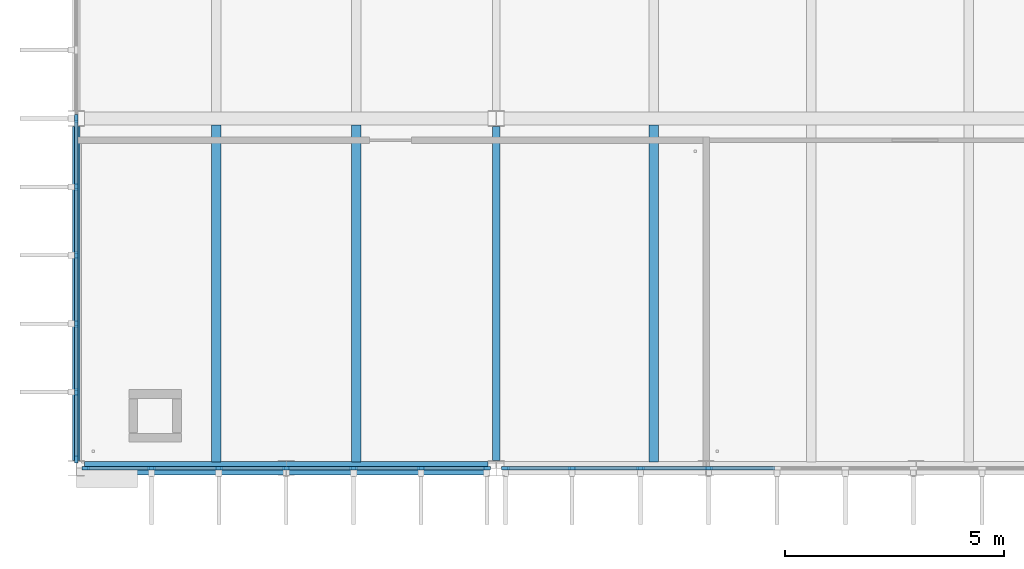
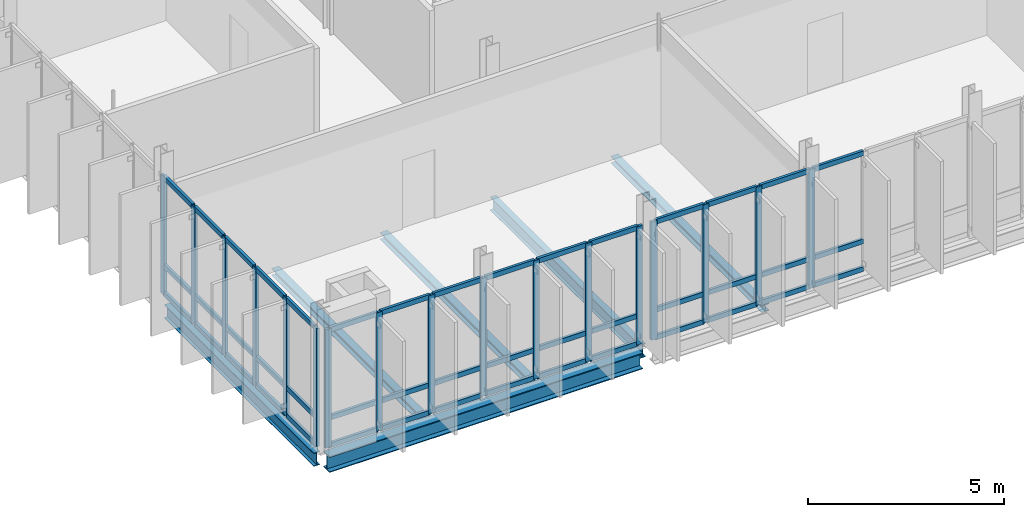
# One storey, part 18 of 110: 62 members, 6 beams, 3 elements without a shape of their own.
"""IFC4 building model written with IfcOpenShell, lengths in metres."""

from ifc_helpers import new_model, si_unit, direction, frame, origin, origin_2d, place, context, subcontext, project, spatial, rectangle, i_section, extrude, material, material_profile, profile_set, type_object, element, aggregate, save


model = new_model("IFC4")

# Units and contexts
model_context = context("Model", 3, precision=1e-05, world=origin(), true_north=direction((0.0, 1.0)))
body_context = subcontext(model_context, "Body", "Model", "MODEL_VIEW")
ifc_project = project(units=[si_unit("LENGTHUNIT", "METRE"), si_unit("AREAUNIT", "SQUARE_METRE"), si_unit("VOLUMEUNIT", "CUBIC_METRE"), si_unit("PLANEANGLEUNIT", "RADIAN"), si_unit("MASSUNIT", "GRAM", prefix="KILO")], contexts=[model_context])

# Site, building, storey
site_placement = place(None, origin())
site = spatial("IfcSite", under=ifc_project, at=site_placement, CompositionType="ELEMENT")
building_placement = place(site_placement, origin())
building = spatial("IfcBuilding", under=site, at=building_placement, Name="Dunescarp Central Library", CompositionType="ELEMENT")
storey_placement = place(building_placement, frame((0.0, 0.0, 9.60009765625)))
storey = spatial("IfcBuildingStorey", under=building, at=storey_placement, Name="L02", CompositionType="ELEMENT", Elevation=9.60009765625)

# Curtain wall, members
ifc_material_1 = material(Name="Marine-grade anodised aluminium 6063-T6", Category="aluminium")
curtain_wall_type = type_object("IfcCurtainWallType", Name="ARC-CW-STICK", PredefinedType="NOTDEFINED", material=ifc_material_1)
curtain_wall_1_placement = place(storey_placement, origin())
curtain_wall_1 = element("IfcCurtainWall", 1, at=curtain_wall_1_placement, inside=storey, type_object=curtain_wall_type, Name="L02 curtain wall CW-V1-012", PredefinedType="NOTDEFINED")
ifc_material_profile_1 = material_profile(ifc_material_1, rectangle(XDim=0.080078125, YDim=0.179931640625, at=origin_2d()), Name="AL 80x180")
ifc_profile_set_1 = profile_set([ifc_material_profile_1], Name="Marine-grade anodised aluminium 6063-T6")
member_type_1 = type_object("IfcMemberType", Name="ARC-CWM-180", PredefinedType="MULLION", material=ifc_profile_set_1)
member_1_placement = place(storey_placement, frame((9.385009765625, 4.800048828125, 0.0), z_axis=(0.0, 0.0, 1.0), x_axis=(0.0, -1.0, 0.0)))
member_1 = element("IfcMember", 2, at=member_1_placement, type_object=member_type_1, Name="CW-V1-012 mullion 1", PredefinedType="MULLION", context=body_context, shape_type="SweptSolid", body=[
    extrude(rectangle(XDim=0.080078125, YDim=0.179931640625, at=origin_2d()), origin(), (0.0, 0.0, 1.0), 3.684814453125),
])
member_2_placement = place(storey_placement, frame((7.88330078125, 4.800048828125, 0.0), z_axis=(0.0, 0.0, 1.0), x_axis=(0.0, -1.0, 0.0)))
member_2 = element("IfcMember", 3, at=member_2_placement, type_object=member_type_1, Name="CW-V1-012 mullion 2", PredefinedType="MULLION", context=body_context, shape_type="SweptSolid", body=[
    extrude(rectangle(XDim=0.080078125, YDim=0.179931640625, at=origin_2d()), origin(), (0.0, 0.0, 1.0), 3.684814453125),
])
member_3_placement = place(storey_placement, frame((6.341552734375, 4.800048828125, 0.0), z_axis=(0.0, 0.0, 1.0), x_axis=(0.0, -1.0, 0.0)))
member_3 = element("IfcMember", 4, at=member_3_placement, type_object=member_type_1, Name="CW-V1-012 mullion 3", PredefinedType="MULLION", context=body_context, shape_type="SweptSolid", body=[
    extrude(rectangle(XDim=0.080078125, YDim=0.179931640625, at=origin_2d()), origin(), (0.0, 0.0, 1.0), 3.684814453125),
])
member_4_placement = place(storey_placement, frame((4.800048828125, 4.800048828125, 0.0), z_axis=(0.0, 0.0, 1.0), x_axis=(0.0, -1.0, 0.0)))
member_4 = element("IfcMember", 5, at=member_4_placement, type_object=member_type_1, Name="CW-V1-012 mullion 4", PredefinedType="MULLION", context=body_context, shape_type="SweptSolid", body=[
    extrude(rectangle(XDim=0.080078125, YDim=0.179931640625, at=origin_2d()), origin(), (0.0, 0.0, 1.0), 3.684814453125),
])
member_5_placement = place(storey_placement, frame((3.25830078125, 4.800048828125, 0.0), z_axis=(0.0, 0.0, 1.0), x_axis=(0.0, -1.0, 0.0)))
member_5 = element("IfcMember", 6, at=member_5_placement, type_object=member_type_1, Name="CW-V1-012 mullion 5", PredefinedType="MULLION", context=body_context, shape_type="SweptSolid", body=[
    extrude(rectangle(XDim=0.080078125, YDim=0.179931640625, at=origin_2d()), origin(), (0.0, 0.0, 1.0), 3.684814453125),
])
member_6_placement = place(storey_placement, frame((1.716552734375, 4.800048828125, 0.0), z_axis=(0.0, 0.0, 1.0), x_axis=(0.0, -1.0, 0.0)))
member_6 = element("IfcMember", 7, at=member_6_placement, type_object=member_type_1, Name="CW-V1-012 mullion 6", PredefinedType="MULLION", context=body_context, shape_type="SweptSolid", body=[
    extrude(rectangle(XDim=0.080078125, YDim=0.179931640625, at=origin_2d()), origin(), (0.0, 0.0, 1.0), 3.684814453125),
])
member_7_placement = place(storey_placement, frame((0.215087890625, 4.800048828125, 0.0), z_axis=(0.0, 0.0, 1.0), x_axis=(0.0, -1.0, 0.0)))
member_7 = element("IfcMember", 8, at=member_7_placement, type_object=member_type_1, Name="CW-V1-012 mullion 7", PredefinedType="MULLION", context=body_context, shape_type="SweptSolid", body=[
    extrude(rectangle(XDim=0.080078125, YDim=0.179931640625, at=origin_2d()), origin(), (0.0, 0.0, 1.0), 3.684814453125),
])

curtain_wall_2_placement = place(storey_placement, origin())
curtain_wall_2 = element("IfcCurtainWall", 9, at=curtain_wall_2_placement, inside=storey, type_object=curtain_wall_type, Name="L02 curtain wall CW-V1-013", PredefinedType="NOTDEFINED")
member_8_placement = place(storey_placement, frame((14.458251953125, 4.800048828125, 0.0), z_axis=(0.0, 0.0, 1.0), x_axis=(0.0, -1.0, 0.0)))
member_8 = element("IfcMember", 10, at=member_8_placement, type_object=member_type_1, Name="CW-V1-013 mullion 7", PredefinedType="MULLION", context=body_context, shape_type="SweptSolid", body=[
    extrude(rectangle(XDim=0.080078125, YDim=0.179931640625, at=origin_2d()), origin(), (0.0, 0.0, 1.0), 3.684814453125),
])
member_9_placement = place(storey_placement, frame((12.897216796875, 4.800048828125, 0.0), z_axis=(0.0, 0.0, 1.0), x_axis=(0.0, -1.0, 0.0)))
member_9 = element("IfcMember", 11, at=member_9_placement, type_object=member_type_1, Name="CW-V1-013 mullion 8", PredefinedType="MULLION", context=body_context, shape_type="SweptSolid", body=[
    extrude(rectangle(XDim=0.080078125, YDim=0.179931640625, at=origin_2d()), origin(), (0.0, 0.0, 1.0), 3.684814453125),
])
member_10_placement = place(storey_placement, frame((11.336181640625, 4.800048828125, 0.0), z_axis=(0.0, 0.0, 1.0), x_axis=(0.0, -1.0, 0.0)))
member_10 = element("IfcMember", 12, at=member_10_placement, type_object=member_type_1, Name="CW-V1-013 mullion 9", PredefinedType="MULLION", context=body_context, shape_type="SweptSolid", body=[
    extrude(rectangle(XDim=0.080078125, YDim=0.179931640625, at=origin_2d()), origin(), (0.0, 0.0, 1.0), 3.684814453125),
])
member_11_placement = place(storey_placement, frame((9.81494140625, 4.800048828125, 0.0), z_axis=(0.0, 0.0, 1.0), x_axis=(0.0, -1.0, 0.0)))
member_11 = element("IfcMember", 13, at=member_11_placement, type_object=member_type_1, Name="CW-V1-013 mullion 10", PredefinedType="MULLION", context=body_context, shape_type="SweptSolid", body=[
    extrude(rectangle(XDim=0.080078125, YDim=0.179931640625, at=origin_2d()), origin(), (0.0, 0.0, 1.0), 3.684814453125),
])

curtain_wall_3_placement = place(storey_placement, origin())
curtain_wall_3 = element("IfcCurtainWall", 14, at=curtain_wall_3_placement, inside=storey, type_object=curtain_wall_type, Name="L02 curtain wall CW-V1-015", PredefinedType="NOTDEFINED")
member_12_placement = place(storey_placement, frame((0.0, 5.014892578125, 0.0), z_axis=(0.0, 0.0, 1.0), x_axis=(-1.0, 0.0, 0.0)))
member_12 = element("IfcMember", 15, at=member_12_placement, type_object=member_type_1, Name="CW-V1-015 mullion 1", PredefinedType="MULLION", context=body_context, shape_type="SweptSolid", body=[
    extrude(rectangle(XDim=0.080078125, YDim=0.179931640625, at=origin_2d()), origin(), (0.0, 0.0, 1.0), 3.684814453125),
])
member_13_placement = place(storey_placement, frame((0.0, 6.5400390625, 0.0), z_axis=(0.0, 0.0, 1.0), x_axis=(-1.0, 0.0, 0.0)))
member_13 = element("IfcMember", 16, at=member_13_placement, type_object=member_type_1, Name="CW-V1-015 mullion 2", PredefinedType="MULLION", context=body_context, shape_type="SweptSolid", body=[
    extrude(rectangle(XDim=0.080078125, YDim=0.179931640625, at=origin_2d()), origin(), (0.0, 0.0, 1.0), 3.684814453125),
])
member_14_placement = place(storey_placement, frame((0.0, 8.10498046875, 0.0), z_axis=(0.0, 0.0, 1.0), x_axis=(-1.0, 0.0, 0.0)))
member_14 = element("IfcMember", 17, at=member_14_placement, type_object=member_type_1, Name="CW-V1-015 mullion 3", PredefinedType="MULLION", context=body_context, shape_type="SweptSolid", body=[
    extrude(rectangle(XDim=0.080078125, YDim=0.179931640625, at=origin_2d()), origin(), (0.0, 0.0, 1.0), 3.684814453125),
])
member_15_placement = place(storey_placement, frame((0.0, 9.669921875, 0.0), z_axis=(0.0, 0.0, 1.0), x_axis=(-1.0, 0.0, 0.0)))
member_15 = element("IfcMember", 18, at=member_15_placement, type_object=member_type_1, Name="CW-V1-015 mullion 4", PredefinedType="MULLION", context=body_context, shape_type="SweptSolid", body=[
    extrude(rectangle(XDim=0.080078125, YDim=0.179931640625, at=origin_2d()), origin(), (0.0, 0.0, 1.0), 3.684814453125),
])
member_16_placement = place(storey_placement, frame((0.0, 11.235107421875, 0.0), z_axis=(0.0, 0.0, 1.0), x_axis=(-1.0, 0.0, 0.0)))
member_16 = element("IfcMember", 19, at=member_16_placement, type_object=member_type_1, Name="CW-V1-015 mullion 5", PredefinedType="MULLION", context=body_context, shape_type="SweptSolid", body=[
    extrude(rectangle(XDim=0.080078125, YDim=0.179931640625, at=origin_2d()), origin(), (0.0, 0.0, 1.0), 3.684814453125),
])
member_17_placement = place(storey_placement, frame((0.0, 12.800048828125, 0.0), z_axis=(0.0, 0.0, 1.0), x_axis=(-1.0, 0.0, 0.0)))
member_17 = element("IfcMember", 20, at=member_17_placement, type_object=member_type_1, Name="CW-V1-015 mullion 6", PredefinedType="MULLION", context=body_context, shape_type="SweptSolid", body=[
    extrude(rectangle(XDim=0.080078125, YDim=0.179931640625, at=origin_2d()), origin(), (0.0, 0.0, 1.0), 3.684814453125),
])

# Member
ifc_material_profile_2 = material_profile(ifc_material_1, rectangle(XDim=0.080078125, YDim=0.14990234375, at=origin_2d()), Name="AL 80x150")
ifc_profile_set_2 = profile_set([ifc_material_profile_2], Name="Marine-grade anodised aluminium 6063-T6")
member_type_2 = type_object("IfcMemberType", Name="ARC-CWT-150", PredefinedType="USERDEFINED", material=ifc_profile_set_2)
member_18_placement = place(storey_placement, frame((9.344970703125, 4.800048828125, 0.039794921875), z_axis=(-1.0, 0.0, 0.0), x_axis=(0.0, -1.0, 0.0)))
member_18 = element("IfcMember", 21, at=member_18_placement, type_object=member_type_2, Name="CW-V1-012 transom 1.1", ObjectType="TRANSOM", PredefinedType="USERDEFINED", context=body_context, shape_type="SweptSolid", body=[
    extrude(rectangle(XDim=0.080078125, YDim=0.14990234375, at=origin_2d()), origin(), (0.0, 0.0, 1.0), 1.421630859375),
])

member_19_placement = place(storey_placement, frame((9.344970703125, 4.800048828125, 0.89990234375), z_axis=(-1.0, 0.0, 0.0), x_axis=(0.0, -1.0, 0.0)))
member_19 = element("IfcMember", 22, at=member_19_placement, type_object=member_type_2, Name="CW-V1-012 transom 1.2", ObjectType="TRANSOM", PredefinedType="USERDEFINED", context=body_context, shape_type="SweptSolid", body=[
    extrude(rectangle(XDim=0.080078125, YDim=0.14990234375, at=origin_2d()), origin(), (0.0, 0.0, 1.0), 1.421630859375),
])

member_20_placement = place(storey_placement, frame((9.344970703125, 4.800048828125, 3.64501953125), z_axis=(-1.0, 0.0, 0.0), x_axis=(0.0, -1.0, 0.0)))
member_20 = element("IfcMember", 23, at=member_20_placement, type_object=member_type_2, Name="CW-V1-012 transom 1.3", ObjectType="TRANSOM", PredefinedType="USERDEFINED", context=body_context, shape_type="SweptSolid", body=[
    extrude(rectangle(XDim=0.080078125, YDim=0.14990234375, at=origin_2d()), origin(), (0.0, 0.0, 1.0), 1.421630859375),
])

member_21_placement = place(storey_placement, frame((7.84326171875, 4.800048828125, 0.039794921875), z_axis=(-1.0, 0.0, 0.0), x_axis=(0.0, -1.0, 0.0)))
member_21 = element("IfcMember", 24, at=member_21_placement, type_object=member_type_2, Name="CW-V1-012 transom 2.1", ObjectType="TRANSOM", PredefinedType="USERDEFINED", context=body_context, shape_type="SweptSolid", body=[
    extrude(rectangle(XDim=0.080078125, YDim=0.14990234375, at=origin_2d()), origin(), (0.0, 0.0, 1.0), 1.461669921875),
])

member_22_placement = place(storey_placement, frame((7.84326171875, 4.800048828125, 0.89990234375), z_axis=(-1.0, 0.0, 0.0), x_axis=(0.0, -1.0, 0.0)))
member_22 = element("IfcMember", 25, at=member_22_placement, type_object=member_type_2, Name="CW-V1-012 transom 2.2", ObjectType="TRANSOM", PredefinedType="USERDEFINED", context=body_context, shape_type="SweptSolid", body=[
    extrude(rectangle(XDim=0.080078125, YDim=0.14990234375, at=origin_2d()), origin(), (0.0, 0.0, 1.0), 1.461669921875),
])

member_23_placement = place(storey_placement, frame((7.84326171875, 4.800048828125, 3.64501953125), z_axis=(-1.0, 0.0, 0.0), x_axis=(0.0, -1.0, 0.0)))
member_23 = element("IfcMember", 26, at=member_23_placement, type_object=member_type_2, Name="CW-V1-012 transom 2.3", ObjectType="TRANSOM", PredefinedType="USERDEFINED", context=body_context, shape_type="SweptSolid", body=[
    extrude(rectangle(XDim=0.080078125, YDim=0.14990234375, at=origin_2d()), origin(), (0.0, 0.0, 1.0), 1.461669921875),
])

member_24_placement = place(storey_placement, frame((6.3017578125, 4.800048828125, 0.039794921875), z_axis=(-1.0, 0.0, 0.0), x_axis=(0.0, -1.0, 0.0)))
member_24 = element("IfcMember", 27, at=member_24_placement, type_object=member_type_2, Name="CW-V1-012 transom 3.1", ObjectType="TRANSOM", PredefinedType="USERDEFINED", context=body_context, shape_type="SweptSolid", body=[
    extrude(rectangle(XDim=0.080078125, YDim=0.14990234375, at=origin_2d()), origin(), (0.0, 0.0, 1.0), 1.461669921875),
])

member_25_placement = place(storey_placement, frame((6.3017578125, 4.800048828125, 0.89990234375), z_axis=(-1.0, 0.0, 0.0), x_axis=(0.0, -1.0, 0.0)))
member_25 = element("IfcMember", 28, at=member_25_placement, type_object=member_type_2, Name="CW-V1-012 transom 3.2", ObjectType="TRANSOM", PredefinedType="USERDEFINED", context=body_context, shape_type="SweptSolid", body=[
    extrude(rectangle(XDim=0.080078125, YDim=0.14990234375, at=origin_2d()), origin(), (0.0, 0.0, 1.0), 1.461669921875),
])

member_26_placement = place(storey_placement, frame((6.3017578125, 4.800048828125, 3.64501953125), z_axis=(-1.0, 0.0, 0.0), x_axis=(0.0, -1.0, 0.0)))
member_26 = element("IfcMember", 29, at=member_26_placement, type_object=member_type_2, Name="CW-V1-012 transom 3.3", ObjectType="TRANSOM", PredefinedType="USERDEFINED", context=body_context, shape_type="SweptSolid", body=[
    extrude(rectangle(XDim=0.080078125, YDim=0.14990234375, at=origin_2d()), origin(), (0.0, 0.0, 1.0), 1.461669921875),
])

member_27_placement = place(storey_placement, frame((4.760009765625, 4.800048828125, 0.039794921875), z_axis=(-1.0, 0.0, 0.0), x_axis=(0.0, -1.0, 0.0)))
member_27 = element("IfcMember", 30, at=member_27_placement, type_object=member_type_2, Name="CW-V1-012 transom 4.1", ObjectType="TRANSOM", PredefinedType="USERDEFINED", context=body_context, shape_type="SweptSolid", body=[
    extrude(rectangle(XDim=0.080078125, YDim=0.14990234375, at=origin_2d()), origin(), (0.0, 0.0, 1.0), 1.461669921875),
])

member_28_placement = place(storey_placement, frame((4.760009765625, 4.800048828125, 0.89990234375), z_axis=(-1.0, 0.0, 0.0), x_axis=(0.0, -1.0, 0.0)))
member_28 = element("IfcMember", 31, at=member_28_placement, type_object=member_type_2, Name="CW-V1-012 transom 4.2", ObjectType="TRANSOM", PredefinedType="USERDEFINED", context=body_context, shape_type="SweptSolid", body=[
    extrude(rectangle(XDim=0.080078125, YDim=0.14990234375, at=origin_2d()), origin(), (0.0, 0.0, 1.0), 1.461669921875),
])

member_29_placement = place(storey_placement, frame((4.760009765625, 4.800048828125, 3.64501953125), z_axis=(-1.0, 0.0, 0.0), x_axis=(0.0, -1.0, 0.0)))
member_29 = element("IfcMember", 32, at=member_29_placement, type_object=member_type_2, Name="CW-V1-012 transom 4.3", ObjectType="TRANSOM", PredefinedType="USERDEFINED", context=body_context, shape_type="SweptSolid", body=[
    extrude(rectangle(XDim=0.080078125, YDim=0.14990234375, at=origin_2d()), origin(), (0.0, 0.0, 1.0), 1.461669921875),
])

member_30_placement = place(storey_placement, frame((3.21826171875, 4.800048828125, 0.039794921875), z_axis=(-1.0, 0.0, 0.0), x_axis=(0.0, -1.0, 0.0)))
member_30 = element("IfcMember", 33, at=member_30_placement, type_object=member_type_2, Name="CW-V1-012 transom 5.1", ObjectType="TRANSOM", PredefinedType="USERDEFINED", context=body_context, shape_type="SweptSolid", body=[
    extrude(rectangle(XDim=0.080078125, YDim=0.14990234375, at=origin_2d()), origin(), (0.0, 0.0, 1.0), 1.461669921875),
])

member_31_placement = place(storey_placement, frame((3.21826171875, 4.800048828125, 0.89990234375), z_axis=(-1.0, 0.0, 0.0), x_axis=(0.0, -1.0, 0.0)))
member_31 = element("IfcMember", 34, at=member_31_placement, type_object=member_type_2, Name="CW-V1-012 transom 5.2", ObjectType="TRANSOM", PredefinedType="USERDEFINED", context=body_context, shape_type="SweptSolid", body=[
    extrude(rectangle(XDim=0.080078125, YDim=0.14990234375, at=origin_2d()), origin(), (0.0, 0.0, 1.0), 1.461669921875),
])

member_32_placement = place(storey_placement, frame((3.21826171875, 4.800048828125, 3.64501953125), z_axis=(-1.0, 0.0, 0.0), x_axis=(0.0, -1.0, 0.0)))
member_32 = element("IfcMember", 35, at=member_32_placement, type_object=member_type_2, Name="CW-V1-012 transom 5.3", ObjectType="TRANSOM", PredefinedType="USERDEFINED", context=body_context, shape_type="SweptSolid", body=[
    extrude(rectangle(XDim=0.080078125, YDim=0.14990234375, at=origin_2d()), origin(), (0.0, 0.0, 1.0), 1.461669921875),
])

member_33_placement = place(storey_placement, frame((1.6767578125, 4.800048828125, 0.039794921875), z_axis=(-1.0, 0.0, 0.0), x_axis=(0.0, -1.0, 0.0)))
member_33 = element("IfcMember", 36, at=member_33_placement, type_object=member_type_2, Name="CW-V1-012 transom 6.1", ObjectType="TRANSOM", PredefinedType="USERDEFINED", context=body_context, shape_type="SweptSolid", body=[
    extrude(rectangle(XDim=0.080078125, YDim=0.14990234375, at=origin_2d()), origin(), (0.0, 0.0, 1.0), 1.421875),
])

member_34_placement = place(storey_placement, frame((1.6767578125, 4.800048828125, 0.89990234375), z_axis=(-1.0, 0.0, 0.0), x_axis=(0.0, -1.0, 0.0)))
member_34 = element("IfcMember", 37, at=member_34_placement, type_object=member_type_2, Name="CW-V1-012 transom 6.2", ObjectType="TRANSOM", PredefinedType="USERDEFINED", context=body_context, shape_type="SweptSolid", body=[
    extrude(rectangle(XDim=0.080078125, YDim=0.14990234375, at=origin_2d()), origin(), (0.0, 0.0, 1.0), 1.421875),
])

member_35_placement = place(storey_placement, frame((1.6767578125, 4.800048828125, 3.64501953125), z_axis=(-1.0, 0.0, 0.0), x_axis=(0.0, -1.0, 0.0)))
member_35 = element("IfcMember", 38, at=member_35_placement, type_object=member_type_2, Name="CW-V1-012 transom 6.3", ObjectType="TRANSOM", PredefinedType="USERDEFINED", context=body_context, shape_type="SweptSolid", body=[
    extrude(rectangle(XDim=0.080078125, YDim=0.14990234375, at=origin_2d()), origin(), (0.0, 0.0, 1.0), 1.421875),
])

aggregate(curtain_wall_1, [member_1, member_2, member_3, member_4, member_5, member_6, member_7, member_18, member_19, member_20, member_21, member_22, member_23, member_24, member_25, member_26, member_27, member_28, member_29, member_30, member_31, member_32, member_33, member_34, member_35])

member_36_placement = place(storey_placement, frame((15.9794921875, 4.800048828125, 0.039794921875), z_axis=(-1.0, 0.0, 0.0), x_axis=(0.0, -1.0, 0.0)))
member_36 = element("IfcMember", 39, at=member_36_placement, type_object=member_type_2, Name="CW-V1-013 transom 6.1", ObjectType="TRANSOM", PredefinedType="USERDEFINED", context=body_context, shape_type="SweptSolid", body=[
    extrude(rectangle(XDim=0.080078125, YDim=0.14990234375, at=origin_2d()), origin(), (0.0, 0.0, 1.0), 1.481201171875),
])

member_37_placement = place(storey_placement, frame((15.9794921875, 4.800048828125, 0.89990234375), z_axis=(-1.0, 0.0, 0.0), x_axis=(0.0, -1.0, 0.0)))
member_37 = element("IfcMember", 40, at=member_37_placement, type_object=member_type_2, Name="CW-V1-013 transom 6.2", ObjectType="TRANSOM", PredefinedType="USERDEFINED", context=body_context, shape_type="SweptSolid", body=[
    extrude(rectangle(XDim=0.080078125, YDim=0.14990234375, at=origin_2d()), origin(), (0.0, 0.0, 1.0), 1.481201171875),
])

member_38_placement = place(storey_placement, frame((15.9794921875, 4.800048828125, 3.64501953125), z_axis=(-1.0, 0.0, 0.0), x_axis=(0.0, -1.0, 0.0)))
member_38 = element("IfcMember", 41, at=member_38_placement, type_object=member_type_2, Name="CW-V1-013 transom 6.3", ObjectType="TRANSOM", PredefinedType="USERDEFINED", context=body_context, shape_type="SweptSolid", body=[
    extrude(rectangle(XDim=0.080078125, YDim=0.14990234375, at=origin_2d()), origin(), (0.0, 0.0, 1.0), 1.481201171875),
])

member_39_placement = place(storey_placement, frame((14.418212890625, 4.800048828125, 0.039794921875), z_axis=(-1.0, 0.0, 0.0), x_axis=(0.0, -1.0, 0.0)))
member_39 = element("IfcMember", 42, at=member_39_placement, type_object=member_type_2, Name="CW-V1-013 transom 7.1", ObjectType="TRANSOM", PredefinedType="USERDEFINED", context=body_context, shape_type="SweptSolid", body=[
    extrude(rectangle(XDim=0.080078125, YDim=0.14990234375, at=origin_2d()), origin(), (0.0, 0.0, 1.0), 1.48095703125),
])

member_40_placement = place(storey_placement, frame((14.418212890625, 4.800048828125, 0.89990234375), z_axis=(-1.0, 0.0, 0.0), x_axis=(0.0, -1.0, 0.0)))
member_40 = element("IfcMember", 43, at=member_40_placement, type_object=member_type_2, Name="CW-V1-013 transom 7.2", ObjectType="TRANSOM", PredefinedType="USERDEFINED", context=body_context, shape_type="SweptSolid", body=[
    extrude(rectangle(XDim=0.080078125, YDim=0.14990234375, at=origin_2d()), origin(), (0.0, 0.0, 1.0), 1.48095703125),
])

member_41_placement = place(storey_placement, frame((14.418212890625, 4.800048828125, 3.64501953125), z_axis=(-1.0, 0.0, 0.0), x_axis=(0.0, -1.0, 0.0)))
member_41 = element("IfcMember", 44, at=member_41_placement, type_object=member_type_2, Name="CW-V1-013 transom 7.3", ObjectType="TRANSOM", PredefinedType="USERDEFINED", context=body_context, shape_type="SweptSolid", body=[
    extrude(rectangle(XDim=0.080078125, YDim=0.14990234375, at=origin_2d()), origin(), (0.0, 0.0, 1.0), 1.48095703125),
])

member_42_placement = place(storey_placement, frame((12.857177734375, 4.800048828125, 0.039794921875), z_axis=(-1.0, 0.0, 0.0), x_axis=(0.0, -1.0, 0.0)))
member_42 = element("IfcMember", 45, at=member_42_placement, type_object=member_type_2, Name="CW-V1-013 transom 8.1", ObjectType="TRANSOM", PredefinedType="USERDEFINED", context=body_context, shape_type="SweptSolid", body=[
    extrude(rectangle(XDim=0.080078125, YDim=0.14990234375, at=origin_2d()), origin(), (0.0, 0.0, 1.0), 1.48095703125),
])

member_43_placement = place(storey_placement, frame((12.857177734375, 4.800048828125, 0.89990234375), z_axis=(-1.0, 0.0, 0.0), x_axis=(0.0, -1.0, 0.0)))
member_43 = element("IfcMember", 46, at=member_43_placement, type_object=member_type_2, Name="CW-V1-013 transom 8.2", ObjectType="TRANSOM", PredefinedType="USERDEFINED", context=body_context, shape_type="SweptSolid", body=[
    extrude(rectangle(XDim=0.080078125, YDim=0.14990234375, at=origin_2d()), origin(), (0.0, 0.0, 1.0), 1.48095703125),
])

member_44_placement = place(storey_placement, frame((12.857177734375, 4.800048828125, 3.64501953125), z_axis=(-1.0, 0.0, 0.0), x_axis=(0.0, -1.0, 0.0)))
member_44 = element("IfcMember", 47, at=member_44_placement, type_object=member_type_2, Name="CW-V1-013 transom 8.3", ObjectType="TRANSOM", PredefinedType="USERDEFINED", context=body_context, shape_type="SweptSolid", body=[
    extrude(rectangle(XDim=0.080078125, YDim=0.14990234375, at=origin_2d()), origin(), (0.0, 0.0, 1.0), 1.48095703125),
])

member_45_placement = place(storey_placement, frame((11.296142578125, 4.800048828125, 0.039794921875), z_axis=(-1.0, 0.0, 0.0), x_axis=(0.0, -1.0, 0.0)))
member_45 = element("IfcMember", 48, at=member_45_placement, type_object=member_type_2, Name="CW-V1-013 transom 9.1", ObjectType="TRANSOM", PredefinedType="USERDEFINED", context=body_context, shape_type="SweptSolid", body=[
    extrude(rectangle(XDim=0.080078125, YDim=0.14990234375, at=origin_2d()), origin(), (0.0, 0.0, 1.0), 1.441162109375),
])

member_46_placement = place(storey_placement, frame((11.296142578125, 4.800048828125, 0.89990234375), z_axis=(-1.0, 0.0, 0.0), x_axis=(0.0, -1.0, 0.0)))
member_46 = element("IfcMember", 49, at=member_46_placement, type_object=member_type_2, Name="CW-V1-013 transom 9.2", ObjectType="TRANSOM", PredefinedType="USERDEFINED", context=body_context, shape_type="SweptSolid", body=[
    extrude(rectangle(XDim=0.080078125, YDim=0.14990234375, at=origin_2d()), origin(), (0.0, 0.0, 1.0), 1.441162109375),
])

member_47_placement = place(storey_placement, frame((11.296142578125, 4.800048828125, 3.64501953125), z_axis=(-1.0, 0.0, 0.0), x_axis=(0.0, -1.0, 0.0)))
member_47 = element("IfcMember", 50, at=member_47_placement, type_object=member_type_2, Name="CW-V1-013 transom 9.3", ObjectType="TRANSOM", PredefinedType="USERDEFINED", context=body_context, shape_type="SweptSolid", body=[
    extrude(rectangle(XDim=0.080078125, YDim=0.14990234375, at=origin_2d()), origin(), (0.0, 0.0, 1.0), 1.441162109375),
])

aggregate(curtain_wall_2, [member_8, member_9, member_10, member_11, member_36, member_37, member_38, member_39, member_40, member_41, member_42, member_43, member_44, member_45, member_46, member_47])

member_48_placement = place(storey_placement, frame((0.0, 5.054931640625, 0.039794921875), z_axis=(0.0, 1.0, 0.0), x_axis=(-1.0, 0.0, 0.0)))
member_48 = element("IfcMember", 51, at=member_48_placement, type_object=member_type_2, Name="CW-V1-015 transom 1.1", ObjectType="TRANSOM", PredefinedType="USERDEFINED", context=body_context, shape_type="SweptSolid", body=[
    extrude(rectangle(XDim=0.080078125, YDim=0.14990234375, at=origin_2d()), origin(), (0.0, 0.0, 1.0), 1.445068359375),
])

member_49_placement = place(storey_placement, frame((0.0, 5.054931640625, 0.89990234375), z_axis=(0.0, 1.0, 0.0), x_axis=(-1.0, 0.0, 0.0)))
member_49 = element("IfcMember", 52, at=member_49_placement, type_object=member_type_2, Name="CW-V1-015 transom 1.2", ObjectType="TRANSOM", PredefinedType="USERDEFINED", context=body_context, shape_type="SweptSolid", body=[
    extrude(rectangle(XDim=0.080078125, YDim=0.14990234375, at=origin_2d()), origin(), (0.0, 0.0, 1.0), 1.445068359375),
])

member_50_placement = place(storey_placement, frame((0.0, 5.054931640625, 3.64501953125), z_axis=(0.0, 1.0, 0.0), x_axis=(-1.0, 0.0, 0.0)))
member_50 = element("IfcMember", 53, at=member_50_placement, type_object=member_type_2, Name="CW-V1-015 transom 1.3", ObjectType="TRANSOM", PredefinedType="USERDEFINED", context=body_context, shape_type="SweptSolid", body=[
    extrude(rectangle(XDim=0.080078125, YDim=0.14990234375, at=origin_2d()), origin(), (0.0, 0.0, 1.0), 1.445068359375),
])

member_51_placement = place(storey_placement, frame((0.0, 6.580078125, 0.039794921875), z_axis=(0.0, 1.0, 0.0), x_axis=(-1.0, 0.0, 0.0)))
member_51 = element("IfcMember", 54, at=member_51_placement, type_object=member_type_2, Name="CW-V1-015 transom 2.1", ObjectType="TRANSOM", PredefinedType="USERDEFINED", context=body_context, shape_type="SweptSolid", body=[
    extrude(rectangle(XDim=0.080078125, YDim=0.14990234375, at=origin_2d()), origin(), (0.0, 0.0, 1.0), 1.48486328125),
])

member_52_placement = place(storey_placement, frame((0.0, 6.580078125, 0.89990234375), z_axis=(0.0, 1.0, 0.0), x_axis=(-1.0, 0.0, 0.0)))
member_52 = element("IfcMember", 55, at=member_52_placement, type_object=member_type_2, Name="CW-V1-015 transom 2.2", ObjectType="TRANSOM", PredefinedType="USERDEFINED", context=body_context, shape_type="SweptSolid", body=[
    extrude(rectangle(XDim=0.080078125, YDim=0.14990234375, at=origin_2d()), origin(), (0.0, 0.0, 1.0), 1.48486328125),
])

member_53_placement = place(storey_placement, frame((0.0, 6.580078125, 3.64501953125), z_axis=(0.0, 1.0, 0.0), x_axis=(-1.0, 0.0, 0.0)))
member_53 = element("IfcMember", 56, at=member_53_placement, type_object=member_type_2, Name="CW-V1-015 transom 2.3", ObjectType="TRANSOM", PredefinedType="USERDEFINED", context=body_context, shape_type="SweptSolid", body=[
    extrude(rectangle(XDim=0.080078125, YDim=0.14990234375, at=origin_2d()), origin(), (0.0, 0.0, 1.0), 1.48486328125),
])

member_54_placement = place(storey_placement, frame((0.0, 8.14501953125, 0.039794921875), z_axis=(0.0, 1.0, 0.0), x_axis=(-1.0, 0.0, 0.0)))
member_54 = element("IfcMember", 57, at=member_54_placement, type_object=member_type_2, Name="CW-V1-015 transom 3.1", ObjectType="TRANSOM", PredefinedType="USERDEFINED", context=body_context, shape_type="SweptSolid", body=[
    extrude(rectangle(XDim=0.080078125, YDim=0.14990234375, at=origin_2d()), origin(), (0.0, 0.0, 1.0), 1.48486328125),
])

member_55_placement = place(storey_placement, frame((0.0, 8.14501953125, 0.89990234375), z_axis=(0.0, 1.0, 0.0), x_axis=(-1.0, 0.0, 0.0)))
member_55 = element("IfcMember", 58, at=member_55_placement, type_object=member_type_2, Name="CW-V1-015 transom 3.2", ObjectType="TRANSOM", PredefinedType="USERDEFINED", context=body_context, shape_type="SweptSolid", body=[
    extrude(rectangle(XDim=0.080078125, YDim=0.14990234375, at=origin_2d()), origin(), (0.0, 0.0, 1.0), 1.48486328125),
])

member_56_placement = place(storey_placement, frame((0.0, 8.14501953125, 3.64501953125), z_axis=(0.0, 1.0, 0.0), x_axis=(-1.0, 0.0, 0.0)))
member_56 = element("IfcMember", 59, at=member_56_placement, type_object=member_type_2, Name="CW-V1-015 transom 3.3", ObjectType="TRANSOM", PredefinedType="USERDEFINED", context=body_context, shape_type="SweptSolid", body=[
    extrude(rectangle(XDim=0.080078125, YDim=0.14990234375, at=origin_2d()), origin(), (0.0, 0.0, 1.0), 1.48486328125),
])

member_57_placement = place(storey_placement, frame((0.0, 9.7099609375, 0.039794921875), z_axis=(0.0, 1.0, 0.0), x_axis=(-1.0, 0.0, 0.0)))
member_57 = element("IfcMember", 60, at=member_57_placement, type_object=member_type_2, Name="CW-V1-015 transom 4.1", ObjectType="TRANSOM", PredefinedType="USERDEFINED", context=body_context, shape_type="SweptSolid", body=[
    extrude(rectangle(XDim=0.080078125, YDim=0.14990234375, at=origin_2d()), origin(), (0.0, 0.0, 1.0), 1.485107421875),
])

member_58_placement = place(storey_placement, frame((0.0, 9.7099609375, 0.89990234375), z_axis=(0.0, 1.0, 0.0), x_axis=(-1.0, 0.0, 0.0)))
member_58 = element("IfcMember", 61, at=member_58_placement, type_object=member_type_2, Name="CW-V1-015 transom 4.2", ObjectType="TRANSOM", PredefinedType="USERDEFINED", context=body_context, shape_type="SweptSolid", body=[
    extrude(rectangle(XDim=0.080078125, YDim=0.14990234375, at=origin_2d()), origin(), (0.0, 0.0, 1.0), 1.485107421875),
])

member_59_placement = place(storey_placement, frame((0.0, 9.7099609375, 3.64501953125), z_axis=(0.0, 1.0, 0.0), x_axis=(-1.0, 0.0, 0.0)))
member_59 = element("IfcMember", 62, at=member_59_placement, type_object=member_type_2, Name="CW-V1-015 transom 4.3", ObjectType="TRANSOM", PredefinedType="USERDEFINED", context=body_context, shape_type="SweptSolid", body=[
    extrude(rectangle(XDim=0.080078125, YDim=0.14990234375, at=origin_2d()), origin(), (0.0, 0.0, 1.0), 1.485107421875),
])

member_60_placement = place(storey_placement, frame((0.0, 11.27490234375, 0.039794921875), z_axis=(0.0, 1.0, 0.0), x_axis=(-1.0, 0.0, 0.0)))
member_60 = element("IfcMember", 63, at=member_60_placement, type_object=member_type_2, Name="CW-V1-015 transom 5.1", ObjectType="TRANSOM", PredefinedType="USERDEFINED", context=body_context, shape_type="SweptSolid", body=[
    extrude(rectangle(XDim=0.080078125, YDim=0.14990234375, at=origin_2d()), origin(), (0.0, 0.0, 1.0), 1.485107421875),
])

member_61_placement = place(storey_placement, frame((0.0, 11.27490234375, 0.89990234375), z_axis=(0.0, 1.0, 0.0), x_axis=(-1.0, 0.0, 0.0)))
member_61 = element("IfcMember", 64, at=member_61_placement, type_object=member_type_2, Name="CW-V1-015 transom 5.2", ObjectType="TRANSOM", PredefinedType="USERDEFINED", context=body_context, shape_type="SweptSolid", body=[
    extrude(rectangle(XDim=0.080078125, YDim=0.14990234375, at=origin_2d()), origin(), (0.0, 0.0, 1.0), 1.485107421875),
])

member_62_placement = place(storey_placement, frame((0.0, 11.27490234375, 3.64501953125), z_axis=(0.0, 1.0, 0.0), x_axis=(-1.0, 0.0, 0.0)))
member_62 = element("IfcMember", 65, at=member_62_placement, type_object=member_type_2, Name="CW-V1-015 transom 5.3", ObjectType="TRANSOM", PredefinedType="USERDEFINED", context=body_context, shape_type="SweptSolid", body=[
    extrude(rectangle(XDim=0.080078125, YDim=0.14990234375, at=origin_2d()), origin(), (0.0, 0.0, 1.0), 1.485107421875),
])

aggregate(curtain_wall_3, [member_12, member_13, member_14, member_15, member_16, member_17, member_48, member_49, member_50, member_51, member_52, member_53, member_54, member_55, member_56, member_57, member_58, member_59, member_60, member_61, member_62])

# Beams
ifc_material_2 = material(Name="Steel S355JR", Category="steel")
ifc_material_profile_3 = material_profile(ifc_material_2, i_section(OverallWidth=0.300048828125, OverallDepth=0.5, WebThickness=0.014404296875, FlangeThickness=0.028076171875, at=origin_2d()), Name="HEB 500")
ifc_profile_set_3 = profile_set([ifc_material_profile_3], Name="Steel S355JR")
beam_type_1 = type_object("IfcBeamType", Name="STR-BM-HEB500", PredefinedType="BEAM", material=ifc_profile_set_3)
beam_placement = place(storey_placement, frame((0.18310546875, 4.800048828125, -0.460205078125), z_axis=(1.0, 0.0, 0.0), x_axis=(0.0, 1.0, 0.0)))
element("IfcBeam", 66, at=beam_placement, inside=storey, type_object=beam_type_1, Name="L02 girder BM-L02-0056", PredefinedType="BEAM", context=body_context, shape_type="SweptSolid", body=[
    extrude(i_section(OverallWidth=0.300048828125, OverallDepth=0.5, WebThickness=0.014404296875, FlangeThickness=0.028076171875, at=origin_2d()), origin(), (0.0, 0.0, 1.0), 9.23388671875),
])
ifc_material_profile_4 = material_profile(ifc_material_2, i_section(OverallWidth=0.179443359375, OverallDepth=0.412841796875, WebThickness=0.009521484375, FlangeThickness=0.01611328125, at=origin_2d()), Name="UB 406x178x74")
ifc_profile_set_4 = profile_set([ifc_material_profile_4], Name="Steel S355JR")
beam_type_2 = type_object("IfcBeamType", Name="STR-BM-UB406", PredefinedType="BEAM", material=ifc_profile_set_4)
for number, where, z_axis, x_axis, name in (
    (67, (0.0, 4.98095703125, -0.416015625), (0.0, 1.0, 0.0), (-1.0, 0.0, 0.0), "L02 girder BM-L02-0058"),
    (68, (9.60009765625, 4.98095703125, -0.416015625), (0.0, 1.0, 0.0), (-1.0, 0.0, 0.0), "L02 girder BM-L02-0059"),
):
    element("IfcBeam", number, at=place(storey_placement, frame(where, z_axis=z_axis, x_axis=x_axis)), inside=storey, type_object=beam_type_2, Name=name, PredefinedType="BEAM", context=body_context, shape_type="SweptSolid", body=[
        extrude(i_section(OverallWidth=0.179443359375, OverallDepth=0.412841796875, WebThickness=0.009521484375, FlangeThickness=0.01611328125, at=origin_2d()), origin(), (0.0, 0.0, 1.0), 7.635009765625),
    ])
ifc_material_profile_5 = material_profile(ifc_material_2, i_section(OverallWidth=0.219970703125, OverallDepth=0.219970703125, WebThickness=0.009521484375, FlangeThickness=0.01611328125, at=origin_2d()), Name="HEB 220")
ifc_profile_set_5 = profile_set([ifc_material_profile_5], Name="Steel S355JR")
beam_type_3 = type_object("IfcBeamType", Name="STR-JS-HEB220", PredefinedType="JOIST", material=ifc_profile_set_5)
for number, where, z_axis, x_axis, name in (
    (69, (3.199951171875, 4.947998046875, -0.320068359375), (0.0, 1.0, 0.0), (-1.0, 0.0, 0.0), "L02 joist JS-L02-0060"),
    (70, (6.39990234375, 4.947998046875, -0.320068359375), (0.0, 1.0, 0.0), (-1.0, 0.0, 0.0), "L02 joist JS-L02-0061"),
    (71, (13.199951171875, 4.947998046875, -0.320068359375), (0.0, 1.0, 0.0), (-1.0, 0.0, 0.0), "L02 joist JS-L02-0078"),
):
    element("IfcBeam", number, at=place(storey_placement, frame(where, z_axis=z_axis, x_axis=x_axis)), inside=storey, type_object=beam_type_3, Name=name, PredefinedType="JOIST", context=body_context, shape_type="SweptSolid", body=[
        extrude(i_section(OverallWidth=0.219970703125, OverallDepth=0.219970703125, WebThickness=0.009521484375, FlangeThickness=0.01611328125, at=origin_2d()), origin(), (0.0, 0.0, 1.0), 7.7041015625),
    ])

save(model, "model.ifc")
